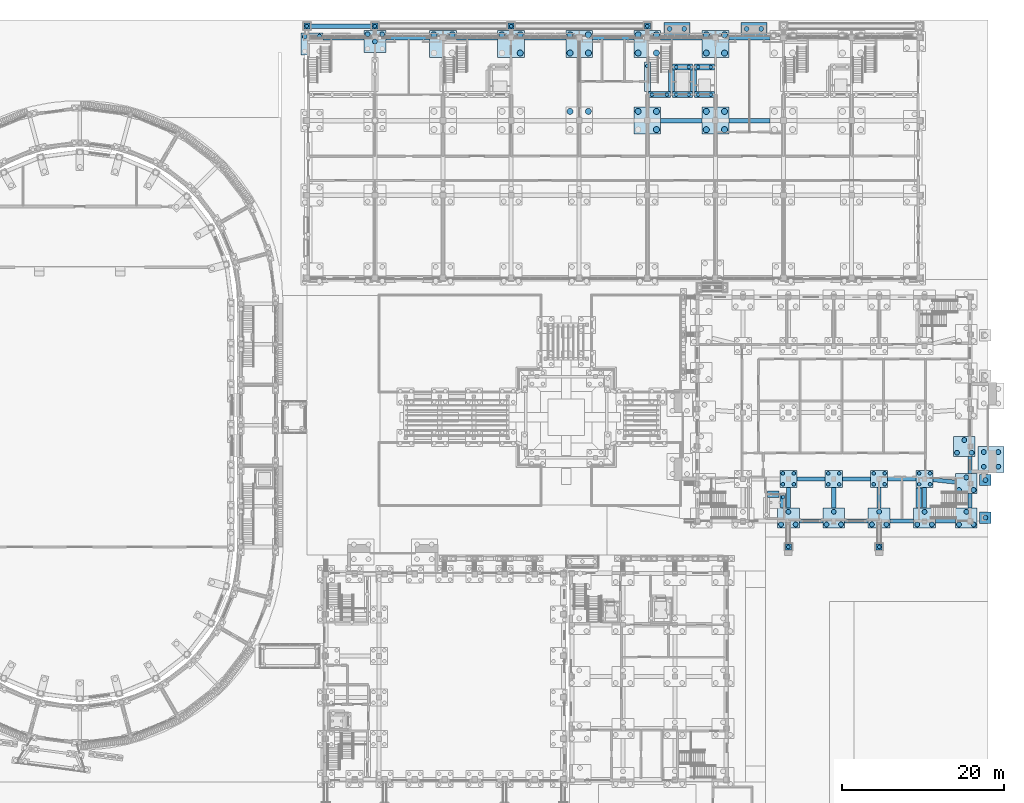
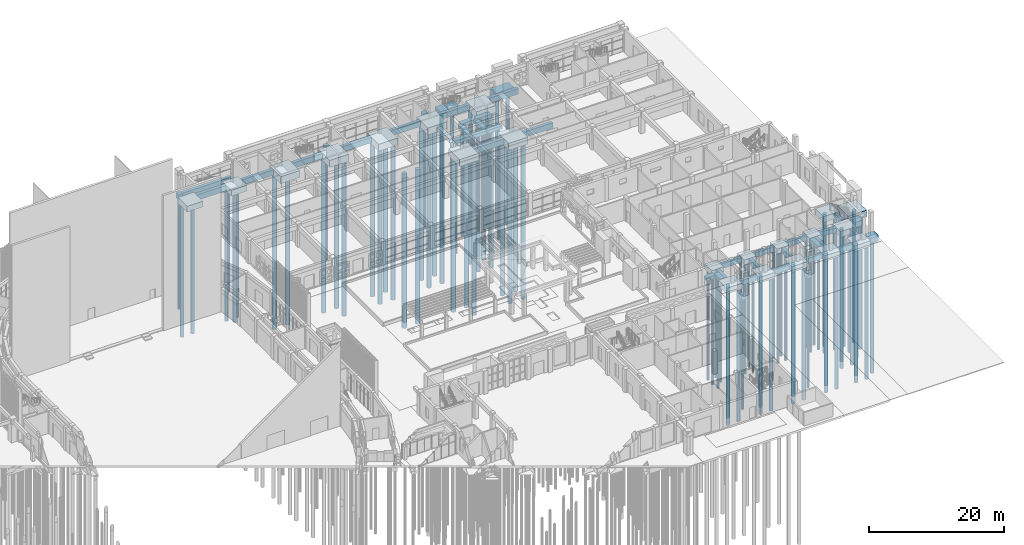
# One storey, part 9 of 112: 96 piles, 66 footings.
"""IFC4 building model written with IfcOpenShell, lengths in metres."""

import ifcopenshell
import ifcopenshell.guid

model = None  # the IFC model being written
_history = None  # IfcOwnerHistory: only IFC2X3 demands one
_inside = {}  # id of a spatial element -> (the spatial element, [elements in it])
_under = {}  # id of a project, library or spatial element -> (it, [spatial elements below it])
_declared = {}  # id of a project -> (the project, [libraries it declares])
_typed = {}  # id of a type object -> (the type object, [elements of that type])
_made_of = {}  # id of a material, layer set ... -> (it, [elements and type objects made of it])


def new_model(schema):
    """Start an empty IFC model of exactly this schema.

    Asked for "IFC4X3", IfcOpenShell would pick the latest addendum, in which some entities
    have other attributes; the version numbers below select the first issue.
    IFC2X3 requires an IfcOwnerHistory on every rooted entity: one is made here for all.
    """
    global model, _history
    if schema == "IFC4X3":
        model = ifcopenshell.file(schema_version=(4, 3, 0, 0))
    else:
        model = ifcopenshell.file(schema=schema)
    _inside.clear()
    _under.clear()
    _declared.clear()
    _typed.clear()
    _made_of.clear()
    _history = None
    if model.schema == "IFC2X3":
        org = make("IfcOrganization", Name="unknown")
        user = make(
            "IfcPersonAndOrganization",
            ThePerson=make("IfcPerson", FamilyName="unknown"),
            TheOrganization=org,
        )
        app = make(
            "IfcApplication",
            ApplicationDeveloper=org,
            Version="unknown",
            ApplicationFullName="unknown",
            ApplicationIdentifier="unknown",
        )
        _history = make(
            "IfcOwnerHistory",
            OwningUser=user,
            OwningApplication=app,
            ChangeAction="ADDED",
            CreationDate=0,
        )
    return model


def make(cls, **values):
    """One entity of the class cls with the attributes given. An attribute that is None is left unset."""
    return model.create_entity(
        cls, **{name: value for name, value in values.items() if value is not None}
    )


def rooted(cls, **values):
    """An entity with a GlobalId (a new one), such as an element, a storey or a relation."""
    return make(cls, GlobalId=ifcopenshell.guid.new(), OwnerHistory=_history, **values)


def si_unit(unit_type, name, prefix=None):
    """IfcSIUnit, for example si_unit("LENGTHUNIT", "METRE", prefix="MILLI")."""
    return make("IfcSIUnit", UnitType=unit_type, Prefix=prefix, Name=name)


def assignment(units):
    """IfcUnitAssignment: the units of a project."""
    return None if units is None else make("IfcUnitAssignment", Units=units)


def point(xyz):
    """IfcCartesianPoint."""
    return None if xyz is None else make("IfcCartesianPoint", Coordinates=xyz)


def direction(xyz):
    """IfcDirection."""
    return None if xyz is None else make("IfcDirection", DirectionRatios=xyz)


def frame(location, z_axis=None, x_axis=None):
    """IfcAxis2Placement3D, a coordinate frame: its origin and axes. An axis left out is left unset."""
    return make(
        "IfcAxis2Placement3D",
        Location=point(location),
        Axis=direction(z_axis),
        RefDirection=direction(x_axis),
    )


def frame_2d(location, x_axis=None):
    """IfcAxis2Placement2D, a coordinate frame in the plane: its origin and x axis."""
    return make(
        "IfcAxis2Placement2D", Location=point(location), RefDirection=direction(x_axis)
    )


def origin():
    """The frame at (0, 0, 0) with its axes left unset."""
    return frame((0.0, 0.0, 0.0))


def origin_2d():
    """The frame at (0, 0) in the plane with its x axis left unset."""
    return frame_2d((0.0, 0.0))


def place(relative_to, where):
    """IfcLocalPlacement: puts the frame where relative to a parent placement (None: the world)."""
    return make(
        "IfcLocalPlacement", PlacementRelTo=relative_to, RelativePlacement=where
    )


def context(
    kind, dimensions, precision=None, world=None, true_north=None, identifier=None
):
    """IfcGeometricRepresentationContext, for example the 3D "Model" context."""
    return make(
        "IfcGeometricRepresentationContext",
        ContextIdentifier=identifier,
        ContextType=kind,
        CoordinateSpaceDimension=dimensions,
        Precision=precision,
        WorldCoordinateSystem=world,
        TrueNorth=true_north,
    )


def subcontext(parent, identifier, kind, view, scale=None):
    """IfcGeometricRepresentationSubContext, for example "Body" below "Model"."""
    return make(
        "IfcGeometricRepresentationSubContext",
        ContextIdentifier=identifier,
        ContextType=kind,
        ParentContext=parent,
        TargetScale=scale,
        TargetView=view,
    )


def project(units=None, contexts=None):
    """IfcProject with its units and contexts."""
    return rooted(
        "IfcProject",
        Name="project",
        RepresentationContexts=contexts,
        UnitsInContext=assignment(units),
    )


def spatial(cls, under=None, at=None, **own):
    """A site, building, storey or space (cls), placed at a placement, below another one or the project."""
    s = rooted(cls, ObjectPlacement=at, **own)
    if under is not None:
        _under.setdefault(under.id(), (under, []))[1].append(s)
    return s


def profile(cls, at=None, kind="AREA", **sizes):
    """A parametric profile (cls). Its sizes go by their IFC names, for example OverallWidth=200.0."""
    return make(cls, ProfileType=kind, Position=at, **sizes)


def rectangle(**sizes):
    """IfcRectangleProfileDef."""
    return profile("IfcRectangleProfileDef", **sizes)


def circle(**sizes):
    """IfcCircleProfileDef."""
    return profile("IfcCircleProfileDef", **sizes)


def extrude(swept, where, along, depth):
    """IfcExtrudedAreaSolid: the profile swept, set in the frame where, extruded along a direction by depth."""
    return make(
        "IfcExtrudedAreaSolid",
        SweptArea=swept,
        Position=where,
        ExtrudedDirection=direction(along),
        Depth=depth,
    )


def shape(context_of_items, identifier, shape_type, items):
    """IfcShapeRepresentation: the items that make up one representation, for example the "Body"."""
    return make(
        "IfcShapeRepresentation",
        ContextOfItems=context_of_items,
        RepresentationIdentifier=identifier,
        RepresentationType=shape_type,
        Items=items,
    )


def material(Name=None, Category=None):
    """IfcMaterial."""
    return make("IfcMaterial", Name=Name, Category=Category)


def material_profile(
    of_material, cross_section, Name=None, Category=None, Priority=None
):
    """IfcMaterialProfile: a cross section and its material."""
    return make(
        "IfcMaterialProfile",
        Name=Name,
        Material=of_material,
        Profile=cross_section,
        Priority=Priority,
        Category=Category,
    )


def profile_set(profiles, Name=None, composite=None):
    """IfcMaterialProfileSet."""
    return make(
        "IfcMaterialProfileSet",
        Name=Name,
        MaterialProfiles=profiles,
        CompositeProfile=composite,
    )


def made_of(thing, what):
    """Note that an element or type object is made of a material, layer set ...; save() writes the relation."""
    if what is not None:
        _made_of.setdefault(what.id(), (what, []))[1].append(thing)
    return thing


def type_object(cls, material=None, **own):
    """A type object (cls), such as IfcWallType, which elements share."""
    return made_of(rooted(cls, **own), material)


def element(
    cls,
    number,
    at=None,
    inside=None,
    cuts=None,
    type_object=None,
    material=None,
    context=None,
    identifier="Body",
    shape_type=None,
    held_by="IfcProductDefinitionShape",
    body=None,
    shapes=None,
    **own,
):
    """One element of the class cls, such as IfcWall. Its Tag is "e" and its number.

    at: its placement. inside: the storey or other place that contains it. cuts: it is an
    opening in that element (IfcRelVoidsElement). A single representation is given by context,
    identifier, shape_type and body (its items); several are given by shapes. held_by: the class
    of the entity that holds the representations. save() writes the other relations.
    """
    e = rooted(cls, Tag="e%d" % number, ObjectPlacement=at, **own)
    if body is not None:
        shapes = [shape(context, identifier, shape_type, body)]
    if shapes is not None:
        e.Representation = make(held_by, Representations=shapes)
    if inside is not None:
        _inside.setdefault(inside.id(), (inside, []))[1].append(e)
    if cuts is not None:
        rooted(
            "IfcRelVoidsElement", RelatingBuildingElement=cuts, RelatedOpeningElement=e
        )
    if type_object is not None:
        _typed.setdefault(type_object.id(), (type_object, []))[1].append(e)
    return made_of(e, material)


def aggregate(whole, parts):
    """IfcRelAggregates: a whole, such as a stair, and the parts it consists of."""
    return rooted("IfcRelAggregates", RelatingObject=whole, RelatedObjects=parts)


def save(model, path):
    """Write the relations noted so far, then the file.

    IfcRelAggregates (storeys below a building ...), IfcRelContainedInSpatialStructure (elements
    in a storey), IfcRelDefinesByType, IfcRelAssociatesMaterial and IfcRelDeclares: one each for
    every whole, place, type object, material and project.
    """
    for whole, parts in _under.values():
        aggregate(whole, parts)
    for where, things in _inside.values():
        rooted(
            "IfcRelContainedInSpatialStructure",
            RelatedElements=things,
            RelatingStructure=where,
        )
    for kind, things in _typed.values():
        rooted("IfcRelDefinesByType", RelatedObjects=things, RelatingType=kind)
    for what, things in _made_of.values():
        rooted("IfcRelAssociatesMaterial", RelatedObjects=things, RelatingMaterial=what)
    for by, libraries in _declared.values():
        rooted("IfcRelDeclares", RelatingContext=by, RelatedDefinitions=libraries)
    model.write(path)


model = new_model("IFC4")

# Units and contexts
model_context = context("Model", 3, precision=1e-05, world=origin(), true_north=direction((0.0, 1.0)))
body_context = subcontext(model_context, "Body", "Model", "MODEL_VIEW")
ifc_project = project(units=[si_unit("LENGTHUNIT", "METRE"), si_unit("AREAUNIT", "SQUARE_METRE"), si_unit("VOLUMEUNIT", "CUBIC_METRE"), si_unit("PLANEANGLEUNIT", "RADIAN"), si_unit("MASSUNIT", "GRAM", prefix="KILO")], contexts=[model_context])

# Site, building, storey
site_placement = place(None, origin())
site = spatial("IfcSite", under=ifc_project, at=site_placement, CompositionType="ELEMENT")
building_placement = place(site_placement, origin())
building = spatial("IfcBuilding", under=site, at=building_placement, Name="Wasatch Bagh Community Centre", CompositionType="ELEMENT")
storey_placement = place(building_placement, origin())
storey = spatial("IfcBuildingStorey", under=building, at=storey_placement, Name="L00", CompositionType="ELEMENT", Elevation=0.0)

# Footings
ifc_material_1 = material(Name="Concrete C35", Category="concrete")
footing_type_1 = type_object("IfcFootingType", Name="FD-GB-B", PredefinedType="FOOTING_BEAM", material=ifc_material_1)
footing_1_placement = place(storey_placement, frame((145.800048828125, 40.675048828125, -1.0), z_axis=(0.0, 0.0, 1.0), x_axis=(0.0, 1.0, 0.0)))
element("IfcFooting", 1, at=footing_1_placement, inside=storey, type_object=footing_type_1, Name="GB ground beam 299", PredefinedType="FOOTING_BEAM", context=body_context, shape_type="SweptSolid", body=[
    extrude(rectangle(XDim=1.791015625, YDim=0.449951171875, at=origin_2d()), origin(), (0.0, 0.0, 1.0), 0.800048828125),
])
footing_2_placement = place(storey_placement, frame((145.800048828125, 45.10009765625, -1.0), z_axis=(0.0, 0.0, 1.0), x_axis=(0.0, 1.0, 0.0)))
element("IfcFooting", 2, at=footing_2_placement, inside=storey, type_object=footing_type_1, Name="GB ground beam 312", PredefinedType="FOOTING_BEAM", context=body_context, shape_type="SweptSolid", body=[
    extrude(rectangle(XDim=2.14111328125, YDim=0.449951171875, at=origin_2d()), origin(), (0.0, 0.0, 1.0), 0.800048828125),
])
footing_type_2 = type_object("IfcFootingType", Name="FD-GB-C", PredefinedType="FOOTING_BEAM", material=ifc_material_1)
footing_3_placement = place(storey_placement, frame((126.199951171875, 43.39990234375, -1.099853515625), z_axis=(0.0, 0.0, 1.0), x_axis=(1.0, 0.0, 0.0)))
element("IfcFooting", 3, at=footing_3_placement, inside=storey, type_object=footing_type_2, Name="GB ground beam 267", PredefinedType="FOOTING_BEAM", context=body_context, shape_type="SweptSolid", body=[
    extrude(rectangle(XDim=3.5, YDim=0.5, at=origin_2d()), origin(), (0.0, 0.0, 1.0), 0.89990234375),
])
footing_4_placement = place(storey_placement, frame((123.39990234375, 41.064697265625, -1.099853515625), z_axis=(0.0, 0.0, 1.0), x_axis=(0.0, -1.0, 0.0)))
element("IfcFooting", 4, at=footing_4_placement, inside=storey, type_object=footing_type_2, Name="GB ground beam 268", PredefinedType="FOOTING_BEAM", context=body_context, shape_type="SweptSolid", body=[
    extrude(rectangle(XDim=2.570556640625, YDim=0.5, at=origin_2d()), origin(), (0.0, 0.0, 1.0), 0.89990234375),
])
footing_5_placement = place(storey_placement, frame((131.800048828125, 43.39990234375, -1.099853515625), z_axis=(0.0, 0.0, 1.0), x_axis=(1.0, 0.0, 0.0)))
element("IfcFooting", 5, at=footing_5_placement, inside=storey, type_object=footing_type_2, Name="GB ground beam 269", PredefinedType="FOOTING_BEAM", context=body_context, shape_type="SweptSolid", body=[
    extrude(rectangle(XDim=3.5, YDim=0.5, at=origin_2d()), origin(), (0.0, 0.0, 1.0), 0.89990234375),
])
footing_6_placement = place(storey_placement, frame((129.0, 41.064697265625, -1.099853515625), z_axis=(0.0, 0.0, 1.0), x_axis=(0.0, -1.0, 0.0)))
element("IfcFooting", 6, at=footing_6_placement, inside=storey, type_object=footing_type_2, Name="GB ground beam 270", PredefinedType="FOOTING_BEAM", context=body_context, shape_type="SweptSolid", body=[
    extrude(rectangle(XDim=2.570556640625, YDim=0.5, at=origin_2d()), origin(), (0.0, 0.0, 1.0), 0.89990234375),
])
footing_7_placement = place(storey_placement, frame((137.39990234375, 43.39990234375, -1.099853515625), z_axis=(0.0, 0.0, 1.0), x_axis=(1.0, 0.0, 0.0)))
element("IfcFooting", 7, at=footing_7_placement, inside=storey, type_object=footing_type_2, Name="GB ground beam 271", PredefinedType="FOOTING_BEAM", context=body_context, shape_type="SweptSolid", body=[
    extrude(rectangle(XDim=3.5, YDim=0.5, at=origin_2d()), origin(), (0.0, 0.0, 1.0), 0.89990234375),
])
for number, where, z_axis, x_axis, name in (
    (8, (134.60009765625, 41.064697265625, -1.099853515625), (0.0, 0.0, 1.0), (0.0, -1.0, 0.0), "GB ground beam 272"),
    (9, (140.199951171875, 41.064697265625, -1.099853515625), (0.0, 0.0, 1.0), (0.0, -1.0, 0.0), "GB ground beam 273"),
):
    element("IfcFooting", number, at=place(storey_placement, frame(where, z_axis=z_axis, x_axis=x_axis)), inside=storey, type_object=footing_type_2, Name=name, PredefinedType="FOOTING_BEAM", context=body_context, shape_type="SweptSolid", body=[
        extrude(rectangle(XDim=2.570556640625, YDim=0.5, at=origin_2d()), origin(), (0.0, 0.0, 1.0), 0.89990234375),
    ])
footing_8_placement = place(storey_placement, frame((142.625, 43.14013671875, -1.099853515625), z_axis=(0.0, 0.0, 1.0), x_axis=(0.99430915392, -0.106533123629, 0.0)))
element("IfcFooting", 10, at=footing_8_placement, inside=storey, type_object=footing_type_2, Name="GB ground beam 274", PredefinedType="FOOTING_BEAM", context=body_context, shape_type="SweptSolid", body=[
    extrude(rectangle(XDim=2.765625, YDim=0.5, at=origin_2d()), origin(), (0.0, 0.0, 1.0), 0.89990234375),
])
for number, where, z_axis, x_axis, name in (
    (11, (126.199951171875, 38.199951171875, -1.099853515625), (0.0, 0.0, 1.0), (1.0, 0.0, 0.0), "GB ground beam 295"),
    (12, (131.800048828125, 38.199951171875, -1.099853515625), (0.0, 0.0, 1.0), (1.0, 0.0, 0.0), "GB ground beam 296"),
    (13, (137.39990234375, 38.199951171875, -1.099853515625), (0.0, 0.0, 1.0), (1.0, 0.0, 0.0), "GB ground beam 297"),
):
    element("IfcFooting", number, at=place(storey_placement, frame(where, z_axis=z_axis, x_axis=x_axis)), inside=storey, type_object=footing_type_2, Name=name, PredefinedType="FOOTING_BEAM", context=body_context, shape_type="SweptSolid", body=[
        extrude(rectangle(XDim=2.89990234375, YDim=0.5, at=origin_2d()), origin(), (0.0, 0.0, 1.0), 0.89990234375),
    ])
footing_9_placement = place(storey_placement, frame((142.77490234375, 38.199951171875, -1.099853515625), z_axis=(0.0, 0.0, 1.0), x_axis=(1.0, 0.0, 0.0)))
element("IfcFooting", 14, at=footing_9_placement, inside=storey, type_object=footing_type_2, Name="GB ground beam 298", PredefinedType="FOOTING_BEAM", context=body_context, shape_type="SweptSolid", body=[
    extrude(rectangle(XDim=2.449951171875, YDim=0.5, at=origin_2d()), origin(), (0.0, 0.0, 1.0), 0.89990234375),
])
footing_type_3 = type_object("IfcFootingType", Name="FD-GB-D", PredefinedType="FOOTING_BEAM", material=ifc_material_1)
footing_10_placement = place(storey_placement, frame((68.199951171875, 99.25, -1.199951171875), z_axis=(0.0, 0.0, 1.0), x_axis=(1.0, 0.0, 0.0)))
element("IfcFooting", 15, at=footing_10_placement, inside=storey, type_object=footing_type_3, Name="GB ground beam 12", PredefinedType="FOOTING_BEAM", context=body_context, shape_type="SweptSolid", body=[
    extrude(rectangle(XDim=7.64990234375, YDim=0.550048828125, at=origin_2d()), origin(), (0.0, 0.0, 1.0), 1.0),
])
for number, where, z_axis, x_axis, name in (
    (16, (110.199951171875, 87.60009765625, -1.199951171875), (0.0, 0.0, 1.0), (1.0, 0.0, 0.0), "GB ground beam 193"),
    (17, (118.60009765625, 87.60009765625, -1.199951171875), (0.0, 0.0, 1.0), (1.0, 0.0, 0.0), "GB ground beam 194"),
):
    element("IfcFooting", number, at=place(storey_placement, frame(where, z_axis=z_axis, x_axis=x_axis)), inside=storey, type_object=footing_type_3, Name=name, PredefinedType="FOOTING_BEAM", context=body_context, shape_type="SweptSolid", body=[
        extrude(rectangle(XDim=5.10009765625, YDim=0.550048828125, at=origin_2d()), origin(), (0.0, 0.0, 1.0), 1.0),
    ])
footing_11_placement = place(storey_placement, frame((68.52490234375, 97.800048828125, -1.199951171875), z_axis=(0.0, 0.0, 1.0), x_axis=(1.0, 0.0, 0.0)))
element("IfcFooting", 18, at=footing_11_placement, inside=storey, type_object=footing_type_3, Name="GB ground beam 206", PredefinedType="FOOTING_BEAM", context=body_context, shape_type="SweptSolid", body=[
    extrude(rectangle(XDim=5.050048828125, YDim=0.550048828125, at=origin_2d()), origin(), (0.0, 0.0, 1.0), 1.0),
])
footing_12_placement = place(storey_placement, frame((76.449951171875, 97.800048828125, -1.199951171875), z_axis=(0.0, 0.0, 1.0), x_axis=(1.0, 0.0, 0.0)))
element("IfcFooting", 19, at=footing_12_placement, inside=storey, type_object=footing_type_3, Name="GB ground beam 207", PredefinedType="FOOTING_BEAM", context=body_context, shape_type="SweptSolid", body=[
    extrude(rectangle(XDim=5.39990234375, YDim=0.550048828125, at=origin_2d()), origin(), (0.0, 0.0, 1.0), 1.0),
])
for number, where, z_axis, x_axis, name in (
    (20, (85.0, 97.800048828125, -1.199951171875), (0.0, 0.0, 1.0), (1.0, 0.0, 0.0), "GB ground beam 208"),
    (21, (93.39990234375, 97.800048828125, -1.199951171875), (0.0, 0.0, 1.0), (1.0, 0.0, 0.0), "GB ground beam 209"),
    (22, (101.800048828125, 97.800048828125, -1.199951171875), (0.0, 0.0, 1.0), (1.0, 0.0, 0.0), "GB ground beam 210"),
    (23, (110.199951171875, 97.800048828125, -1.199951171875), (0.0, 0.0, 1.0), (1.0, 0.0, 0.0), "GB ground beam 211"),
    (24, (118.60009765625, 97.800048828125, -1.199951171875), (0.0, 0.0, 1.0), (1.0, 0.0, 0.0), "GB ground beam 212"),
):
    element("IfcFooting", number, at=place(storey_placement, frame(where, z_axis=z_axis, x_axis=x_axis)), inside=storey, type_object=footing_type_3, Name=name, PredefinedType="FOOTING_BEAM", context=body_context, shape_type="SweptSolid", body=[
        extrude(rectangle(XDim=5.10009765625, YDim=0.550048828125, at=origin_2d()), origin(), (0.0, 0.0, 1.0), 1.0),
    ])

# Piles
ifc_material_2 = material(Name="Concrete C30", Category="concrete")
ifc_material_profile_1 = material_profile(ifc_material_2, circle(Radius=0.22509765625, at=origin_2d()), Name="RC D450")
ifc_profile_set_1 = profile_set([ifc_material_profile_1], Name="Concrete C30")
pile_type_1 = type_object("IfcPileType", Name="FD-P450", PredefinedType="BORED", material=ifc_profile_set_1)
for number, where, z_axis, x_axis, name in (
    (25, (123.39990234375, 35.0, -1.10009765625), (0.0, 0.0, -1.0), (1.0, 0.0, 0.0), "P pile 14.1"),
    (26, (134.60009765625, 35.0, -1.10009765625), (0.0, 0.0, -1.0), (1.0, 0.0, 0.0), "P pile 15.1"),
    (27, (64.0, 99.25, -1.10009765625), (0.0, 0.0, -1.0), (1.0, 0.0, 0.0), "P pile 19.1"),
    (28, (72.39990234375, 99.25, -1.10009765625), (0.0, 0.0, -1.0), (1.0, 0.0, 0.0), "P pile 20.1"),
    (29, (89.199951171875, 99.25, -1.10009765625), (0.0, 0.0, -1.0), (1.0, 0.0, 0.0), "P pile 21.1"),
    (30, (106.0, 99.25, -1.10009765625), (0.0, 0.0, -1.0), (1.0, 0.0, 0.0), "P pile 22.1"),
    (31, (122.72509765625, 42.72509765625, -1.10009765625), (0.0, 0.0, -1.0), (1.0, 0.0, 0.0), "P pile 267.1"),
    (32, (124.074951171875, 42.72509765625, -1.10009765625), (0.0, 0.0, -1.0), (1.0, 0.0, 0.0), "P pile 267.2"),
    (33, (122.72509765625, 44.074951171875, -1.10009765625), (0.0, 0.0, -1.0), (1.0, 0.0, 0.0), "P pile 267.3"),
    (34, (124.074951171875, 44.074951171875, -1.10009765625), (0.0, 0.0, -1.0), (1.0, 0.0, 0.0), "P pile 267.4"),
    (35, (128.324951171875, 42.72509765625, -1.10009765625), (0.0, 0.0, -1.0), (1.0, 0.0, 0.0), "P pile 268.1"),
    (36, (129.675048828125, 42.72509765625, -1.10009765625), (0.0, 0.0, -1.0), (1.0, 0.0, 0.0), "P pile 268.2"),
    (37, (128.324951171875, 44.074951171875, -1.10009765625), (0.0, 0.0, -1.0), (1.0, 0.0, 0.0), "P pile 268.3"),
    (38, (129.675048828125, 44.074951171875, -1.10009765625), (0.0, 0.0, -1.0), (1.0, 0.0, 0.0), "P pile 268.4"),
    (39, (133.925048828125, 42.72509765625, -1.10009765625), (0.0, 0.0, -1.0), (1.0, 0.0, 0.0), "P pile 269.1"),
    (40, (135.27490234375, 42.72509765625, -1.10009765625), (0.0, 0.0, -1.0), (1.0, 0.0, 0.0), "P pile 269.2"),
    (41, (133.925048828125, 44.074951171875, -1.10009765625), (0.0, 0.0, -1.0), (1.0, 0.0, 0.0), "P pile 269.3"),
    (42, (135.27490234375, 44.074951171875, -1.10009765625), (0.0, 0.0, -1.0), (1.0, 0.0, 0.0), "P pile 269.4"),
    (43, (139.52490234375, 42.72509765625, -1.10009765625), (0.0, 0.0, -1.0), (1.0, 0.0, 0.0), "P pile 270.1"),
    (44, (140.875, 42.72509765625, -1.10009765625), (0.0, 0.0, -1.0), (1.0, 0.0, 0.0), "P pile 270.2"),
    (45, (139.52490234375, 44.074951171875, -1.10009765625), (0.0, 0.0, -1.0), (1.0, 0.0, 0.0), "P pile 270.3"),
    (46, (140.875, 44.074951171875, -1.10009765625), (0.0, 0.0, -1.0), (1.0, 0.0, 0.0), "P pile 270.4"),
    (47, (106.574951171875, 90.800048828125, -0.800048828125), (0.0, 0.0, -1.0), (1.0, 0.0, 0.0), "P pile SF24.1"),
    (48, (108.425048828125, 90.800048828125, -0.800048828125), (0.0, 0.0, -1.0), (1.0, 0.0, 0.0), "P pile SF24.2"),
    (49, (109.574951171875, 90.800048828125, -0.800048828125), (0.0, 0.0, -1.0), (1.0, 0.0, 0.0), "P pile SF25.1"),
    (50, (111.125, 90.800048828125, -0.800048828125), (0.0, 0.0, -1.0), (1.0, 0.0, 0.0), "P pile SF25.2"),
    (51, (112.27490234375, 90.800048828125, -0.800048828125), (0.0, 0.0, -1.0), (1.0, 0.0, 0.0), "P pile SF26.1"),
    (52, (113.824951171875, 90.800048828125, -0.800048828125), (0.0, 0.0, -1.0), (1.0, 0.0, 0.0), "P pile SF26.2"),
    (53, (109.574951171875, 94.199951171875, -0.800048828125), (0.0, 0.0, -1.0), (1.0, 0.0, 0.0), "P pile SF31.1"),
    (54, (111.125, 94.199951171875, -0.800048828125), (0.0, 0.0, -1.0), (1.0, 0.0, 0.0), "P pile SF31.2"),
    (55, (112.27490234375, 94.199951171875, -0.800048828125), (0.0, 0.0, -1.0), (1.0, 0.0, 0.0), "P pile SF32.1"),
    (56, (113.824951171875, 94.199951171875, -0.800048828125), (0.0, 0.0, -1.0), (1.0, 0.0, 0.0), "P pile SF32.2"),
    (57, (106.0, 94.35009765625, -0.800048828125), (0.0, 0.0, -1.0), (1.0, 0.0, 0.0), "P pile SF39.1"),
    (58, (122.75, 41.14990234375, -0.800048828125), (0.0, 0.0, -1.0), (1.0, 0.0, 0.0), "P pile SF46.1"),
):
    element("IfcPile", number, at=place(storey_placement, frame(where, z_axis=z_axis, x_axis=x_axis)), inside=storey, type_object=pile_type_1, Name=name, PredefinedType="BORED", context=body_context, shape_type="SweptSolid", body=[
        extrude(circle(Radius=0.22509765625, at=origin_2d()), origin(), (0.0, 0.0, 1.0), 20.0),
    ])
ifc_material_profile_2 = material_profile(ifc_material_2, circle(Radius=0.300048828125, at=origin_2d()), Name="RC D600")
ifc_profile_set_2 = profile_set([ifc_material_profile_2], Name="Concrete C30")
pile_type_2 = type_object("IfcPileType", Name="FD-P600", PredefinedType="BORED", material=ifc_profile_set_2)
for number, where, z_axis, x_axis, name in (
    (59, (147.5, 46.699951171875, -1.199951171875), (0.0, 0.0, -1.0), (1.0, 0.0, 0.0), "SHEQ.pile.L00.PIER2.1"),
    (60, (147.5, 44.89990234375, -1.199951171875), (0.0, 0.0, -1.0), (1.0, 0.0, 0.0), "SHEQ.pile.L00.PIER2.2"),
    (61, (149.300048828125, 46.699951171875, -1.199951171875), (0.0, 0.0, -1.0), (1.0, 0.0, 0.0), "SHEQ.pile.L00.PIER2.3"),
    (62, (149.300048828125, 44.89990234375, -1.199951171875), (0.0, 0.0, -1.0), (1.0, 0.0, 0.0), "SHEQ.pile.L00.PIER2.4"),
    (63, (147.699951171875, 38.60009765625, -1.199951171875), (0.0, 0.0, -1.0), (1.0, 0.0, 0.0), "SHB.pile.L00.B11"),
    (64, (147.699951171875, 43.25, -1.199951171875), (0.0, 0.0, -1.0), (1.0, 0.0, 0.0), "SHB.pile.L00.B12"),
    (65, (63.75, 97.949951171875, -1.25), (0.0, 0.0, -1.0), (1.0, 0.0, 0.0), "P pile 201.3"),
    (66, (65.550048828125, 97.949951171875, -1.25), (0.0, 0.0, -1.0), (1.0, 0.0, 0.0), "P pile 201.4"),
    (67, (71.5, 98.25, -1.25), (0.0, 0.0, -1.0), (1.0, 0.0, 0.0), "P pile 210.3"),
    (68, (73.300048828125, 98.25, -1.25), (0.0, 0.0, -1.0), (1.0, 0.0, 0.0), "P pile 210.4"),
    (69, (72.39990234375, 97.35009765625, -1.25), (0.0, 0.0, -1.0), (1.0, 0.0, 0.0), "P pile 210.5"),
    (70, (122.5, 37.7705078125, -1.25), (0.0, 0.0, -1.0), (1.0, 0.0, 0.0), "P pile 259.1"),
    (71, (124.300048828125, 37.7705078125, -1.25), (0.0, 0.0, -1.0), (1.0, 0.0, 0.0), "P pile 259.2"),
    (72, (123.39990234375, 39.32958984375, -1.25), (0.0, 0.0, -1.0), (1.0, 0.0, 0.0), "P pile 259.3"),
    (73, (128.10009765625, 37.7705078125, -1.25), (0.0, 0.0, -1.0), (1.0, 0.0, 0.0), "P pile 260.1"),
    (74, (129.89990234375, 37.7705078125, -1.25), (0.0, 0.0, -1.0), (1.0, 0.0, 0.0), "P pile 260.2"),
    (75, (129.0, 39.32958984375, -1.25), (0.0, 0.0, -1.0), (1.0, 0.0, 0.0), "P pile 260.3"),
    (76, (133.699951171875, 37.7705078125, -1.25), (0.0, 0.0, -1.0), (1.0, 0.0, 0.0), "P pile 261.1"),
    (77, (135.5, 37.7705078125, -1.25), (0.0, 0.0, -1.0), (1.0, 0.0, 0.0), "P pile 261.2"),
    (78, (134.60009765625, 39.32958984375, -1.25), (0.0, 0.0, -1.0), (1.0, 0.0, 0.0), "P pile 261.3"),
    (79, (139.300048828125, 37.7705078125, -1.25), (0.0, 0.0, -1.0), (1.0, 0.0, 0.0), "P pile 262.1"),
    (80, (141.10009765625, 37.7705078125, -1.25), (0.0, 0.0, -1.0), (1.0, 0.0, 0.0), "P pile 262.2"),
    (81, (140.199951171875, 39.32958984375, -1.25), (0.0, 0.0, -1.0), (1.0, 0.0, 0.0), "P pile 262.3"),
    (82, (144.449951171875, 37.7705078125, -1.25), (0.0, 0.0, -1.0), (1.0, 0.0, 0.0), "P pile 263.1"),
    (83, (146.25, 37.7705078125, -1.25), (0.0, 0.0, -1.0), (1.0, 0.0, 0.0), "P pile 263.2"),
    (84, (145.35009765625, 39.32958984375, -1.25), (0.0, 0.0, -1.0), (1.0, 0.0, 0.0), "P pile 263.3"),
    (85, (144.449951171875, 42.0205078125, -1.25), (0.0, 0.0, -1.0), (1.0, 0.0, 0.0), "P pile 265.1"),
    (86, (146.25, 42.0205078125, -1.25), (0.0, 0.0, -1.0), (1.0, 0.0, 0.0), "P pile 265.2"),
    (87, (145.35009765625, 43.57958984375, -1.25), (0.0, 0.0, -1.0), (1.0, 0.0, 0.0), "P pile 265.3"),
    (88, (144.199951171875, 46.62060546875, -1.25), (0.0, 0.0, -1.0), (1.0, 0.0, 0.0), "P pile 271.1"),
    (89, (146.0, 46.62060546875, -1.25), (0.0, 0.0, -1.0), (1.0, 0.0, 0.0), "P pile 271.2"),
    (90, (145.10009765625, 48.179443359375, -1.25), (0.0, 0.0, -1.0), (1.0, 0.0, 0.0), "P pile 271.3"),
    (91, (108.75, 98.89990234375, -1.39990234375), (0.0, 0.0, -1.0), (1.0, 0.0, 0.0), "LWPQ.pile.L00.CHEEK1.1"),
    (92, (110.550048828125, 98.89990234375, -1.39990234375), (0.0, 0.0, -1.0), (1.0, 0.0, 0.0), "LWPQ.pile.L00.CHEEK1.2"),
    (93, (118.25, 98.89990234375, -1.39990234375), (0.0, 0.0, -1.0), (1.0, 0.0, 0.0), "LWPQ.pile.L00.CHEEK2.1"),
    (94, (120.050048828125, 98.89990234375, -1.39990234375), (0.0, 0.0, -1.0), (1.0, 0.0, 0.0), "LWPQ.pile.L00.CHEEK2.2"),
):
    element("IfcPile", number, at=place(storey_placement, frame(where, z_axis=z_axis, x_axis=x_axis)), inside=storey, type_object=pile_type_2, Name=name, PredefinedType="BORED", context=body_context, shape_type="SweptSolid", body=[
        extrude(circle(Radius=0.300048828125, at=origin_2d()), origin(), (0.0, 0.0, 1.0), 24.0),
    ])
ifc_material_profile_3 = material_profile(ifc_material_2, circle(Radius=0.375, at=origin_2d()), Name="RC D750")
ifc_profile_set_3 = profile_set([ifc_material_profile_3], Name="Concrete C30")
pile_type_3 = type_object("IfcPileType", Name="FD-P750", PredefinedType="BORED", material=ifc_profile_set_3)
for number, where, z_axis, x_axis, name in (
    (95, (96.47509765625, 88.72509765625, -1.469970703125), (0.0, 0.0, -1.0), (1.0, 0.0, 0.0), "P pile 195.3"),
    (96, (98.72509765625, 88.72509765625, -1.469970703125), (0.0, 0.0, -1.0), (1.0, 0.0, 0.0), "P pile 195.4"),
    (97, (107.125, 86.47509765625, -1.469970703125), (0.0, 0.0, -1.0), (1.0, 0.0, 0.0), "P pile 196.2"),
    (98, (104.875, 88.72509765625, -1.469970703125), (0.0, 0.0, -1.0), (1.0, 0.0, 0.0), "P pile 196.3"),
    (99, (107.125, 88.72509765625, -1.469970703125), (0.0, 0.0, -1.0), (1.0, 0.0, 0.0), "P pile 196.4"),
    (100, (113.27490234375, 86.47509765625, -1.469970703125), (0.0, 0.0, -1.0), (1.0, 0.0, 0.0), "P pile 197.1"),
    (101, (115.52490234375, 86.47509765625, -1.469970703125), (0.0, 0.0, -1.0), (1.0, 0.0, 0.0), "P pile 197.2"),
    (102, (113.27490234375, 88.72509765625, -1.469970703125), (0.0, 0.0, -1.0), (1.0, 0.0, 0.0), "P pile 197.3"),
    (103, (115.52490234375, 88.72509765625, -1.469970703125), (0.0, 0.0, -1.0), (1.0, 0.0, 0.0), "P pile 197.4"),
    (104, (79.675048828125, 98.175048828125, -1.469970703125), (0.0, 0.0, -1.0), (1.0, 0.0, 0.0), "P pile 202.3"),
    (105, (81.925048828125, 98.175048828125, -1.469970703125), (0.0, 0.0, -1.0), (1.0, 0.0, 0.0), "P pile 202.4"),
    (106, (90.324951171875, 95.925048828125, -1.469970703125), (0.0, 0.0, -1.0), (1.0, 0.0, 0.0), "P pile 203.2"),
    (107, (88.074951171875, 98.175048828125, -1.469970703125), (0.0, 0.0, -1.0), (1.0, 0.0, 0.0), "P pile 203.3"),
    (108, (90.324951171875, 98.175048828125, -1.469970703125), (0.0, 0.0, -1.0), (1.0, 0.0, 0.0), "P pile 203.4"),
    (109, (96.47509765625, 95.925048828125, -1.469970703125), (0.0, 0.0, -1.0), (1.0, 0.0, 0.0), "P pile 204.1"),
    (110, (98.72509765625, 95.925048828125, -1.469970703125), (0.0, 0.0, -1.0), (1.0, 0.0, 0.0), "P pile 204.2"),
    (111, (96.47509765625, 98.175048828125, -1.469970703125), (0.0, 0.0, -1.0), (1.0, 0.0, 0.0), "P pile 204.3"),
    (112, (98.72509765625, 98.175048828125, -1.469970703125), (0.0, 0.0, -1.0), (1.0, 0.0, 0.0), "P pile 204.4"),
    (113, (104.875, 95.925048828125, -1.469970703125), (0.0, 0.0, -1.0), (1.0, 0.0, 0.0), "P pile 205.1"),
    (114, (107.125, 95.925048828125, -1.469970703125), (0.0, 0.0, -1.0), (1.0, 0.0, 0.0), "P pile 205.2"),
    (115, (104.875, 98.175048828125, -1.469970703125), (0.0, 0.0, -1.0), (1.0, 0.0, 0.0), "P pile 205.3"),
    (116, (107.125, 98.175048828125, -1.469970703125), (0.0, 0.0, -1.0), (1.0, 0.0, 0.0), "P pile 205.4"),
    (117, (113.27490234375, 95.925048828125, -1.469970703125), (0.0, 0.0, -1.0), (1.0, 0.0, 0.0), "P pile 206.1"),
    (118, (115.52490234375, 95.925048828125, -1.469970703125), (0.0, 0.0, -1.0), (1.0, 0.0, 0.0), "P pile 206.2"),
    (119, (113.27490234375, 98.175048828125, -1.469970703125), (0.0, 0.0, -1.0), (1.0, 0.0, 0.0), "P pile 206.3"),
    (120, (115.52490234375, 98.175048828125, -1.469970703125), (0.0, 0.0, -1.0), (1.0, 0.0, 0.0), "P pile 206.4"),
):
    element("IfcPile", number, at=place(storey_placement, frame(where, z_axis=z_axis, x_axis=x_axis)), inside=storey, type_object=pile_type_3, Name=name, PredefinedType="BORED", context=body_context, shape_type="SweptSolid", body=[
        extrude(circle(Radius=0.375, at=origin_2d()), origin(), (0.0, 0.0, 1.0), 28.0),
    ])

# Footings
footing_type_4 = type_object("IfcFootingType", Name="FD-PC1", PredefinedType="PILE_CAP", material=ifc_material_2)
for number, where, z_axis, x_axis, name in (
    (121, (123.39990234375, 35.0, -1.099853515625), (0.0, 0.0, 1.0), (1.0, 0.0, 0.0), "PC cap 14"),
    (122, (134.60009765625, 35.0, -1.099853515625), (0.0, 0.0, 1.0), (1.0, 0.0, 0.0), "PC cap 15"),
    (123, (64.0, 99.25, -1.099853515625), (0.0, 0.0, 1.0), (1.0, 0.0, 0.0), "PC cap 19"),
    (124, (72.39990234375, 99.25, -1.099853515625), (0.0, 0.0, 1.0), (1.0, 0.0, 0.0), "PC cap 20"),
    (125, (89.199951171875, 99.25, -1.099853515625), (0.0, 0.0, 1.0), (1.0, 0.0, 0.0), "PC cap 21"),
    (126, (106.0, 99.25, -1.099853515625), (0.0, 0.0, 1.0), (1.0, 0.0, 0.0), "PC cap 22"),
):
    element("IfcFooting", number, at=place(storey_placement, frame(where, z_axis=z_axis, x_axis=x_axis)), inside=storey, type_object=footing_type_4, Name=name, PredefinedType="PILE_CAP", context=body_context, shape_type="SweptSolid", body=[
        extrude(rectangle(XDim=0.75, YDim=0.75, at=origin_2d()), origin(), (0.0, 0.0, 1.0), 0.89990234375),
    ])
footing_type_5 = type_object("IfcFootingType", Name="FD-PC4", PredefinedType="PILE_CAP", material=ifc_material_2)
for number, where, z_axis, x_axis, name in (
    (127, (123.39990234375, 43.39990234375, -1.099853515625), (0.0, 0.0, 1.0), (1.0, 0.0, 0.0), "PC cap 267"),
    (128, (129.0, 43.39990234375, -1.099853515625), (0.0, 0.0, 1.0), (1.0, 0.0, 0.0), "PC cap 268"),
    (129, (134.60009765625, 43.39990234375, -1.099853515625), (0.0, 0.0, 1.0), (1.0, 0.0, 0.0), "PC cap 269"),
    (130, (140.199951171875, 43.39990234375, -1.099853515625), (0.0, 0.0, 1.0), (1.0, 0.0, 0.0), "PC cap 270"),
):
    element("IfcFooting", number, at=place(storey_placement, frame(where, z_axis=z_axis, x_axis=x_axis)), inside=storey, type_object=footing_type_5, Name=name, PredefinedType="PILE_CAP", context=body_context, shape_type="SweptSolid", body=[
        extrude(rectangle(XDim=2.10009765625, YDim=2.10009765625, at=origin_2d()), origin(), (0.0, 0.0, 1.0), 0.89990234375),
    ])
footing_type_6 = type_object("IfcFootingType", Name="FD-PC5", PredefinedType="PILE_CAP", material=ifc_material_2)
for number, where, z_axis, x_axis, name in (
    (131, (123.39990234375, 38.550048828125, -1.25), (0.0, 0.0, 1.0), (1.0, 0.0, 0.0), "PC cap 259"),
    (132, (129.0, 38.550048828125, -1.25), (0.0, 0.0, 1.0), (1.0, 0.0, 0.0), "PC cap 260"),
    (133, (134.60009765625, 38.550048828125, -1.25), (0.0, 0.0, 1.0), (1.0, 0.0, 0.0), "PC cap 261"),
    (134, (140.199951171875, 38.550048828125, -1.25), (0.0, 0.0, 1.0), (1.0, 0.0, 0.0), "PC cap 262"),
    (135, (145.35009765625, 38.550048828125, -1.25), (0.0, 0.0, 1.0), (1.0, 0.0, 0.0), "PC cap 263"),
    (136, (145.35009765625, 42.800048828125, -1.25), (0.0, 0.0, 1.0), (1.0, 0.0, 0.0), "PC cap 265"),
    (137, (145.10009765625, 47.39990234375, -1.25), (0.0, 0.0, 1.0), (1.0, 0.0, 0.0), "PC cap 271"),
):
    element("IfcFooting", number, at=place(storey_placement, frame(where, z_axis=z_axis, x_axis=x_axis)), inside=storey, type_object=footing_type_6, Name=name, PredefinedType="PILE_CAP", context=body_context, shape_type="SweptSolid", body=[
        extrude(rectangle(XDim=2.699951171875, YDim=2.458984375, at=origin_2d()), origin(), (0.0, 0.0, 1.0), 1.050048828125),
    ])
footing_type_7 = type_object("IfcFootingType", Name="FD-PC6", PredefinedType="PILE_CAP", material=ifc_material_2)
footing_13_placement = place(storey_placement, frame((64.64990234375, 97.050048828125, -1.25), z_axis=(0.0, 0.0, 1.0), x_axis=(1.0, 0.0, 0.0)))
element("IfcFooting", 138, at=footing_13_placement, inside=storey, type_object=footing_type_7, Name="PC cap 201", PredefinedType="PILE_CAP", context=body_context, shape_type="SweptSolid", body=[
    extrude(rectangle(XDim=2.699951171875, YDim=2.699951171875, at=origin_2d()), origin(), (0.0, 0.0, 1.0), 1.050048828125),
])
footing_type_8 = type_object("IfcFootingType", Name="FD-PC7", PredefinedType="PILE_CAP", material=ifc_material_2)
footing_14_placement = place(storey_placement, frame((72.39990234375, 97.35009765625, -1.25), z_axis=(0.0, 0.0, 1.0), x_axis=(1.0, 0.0, 0.0)))
element("IfcFooting", 139, at=footing_14_placement, inside=storey, type_object=footing_type_8, Name="PC cap 210", PredefinedType="PILE_CAP", context=body_context, shape_type="SweptSolid", body=[
    extrude(rectangle(XDim=2.699951171875, YDim=2.699951171875, at=origin_2d()), origin(), (0.0, 0.0, 1.0), 1.050048828125),
])
footing_type_9 = type_object("IfcFootingType", Name="FD-PC8", PredefinedType="PILE_CAP", material=ifc_material_2)
for number, where, z_axis, x_axis, name in (
    (140, (106.0, 87.60009765625, -1.469970703125), (0.0, 0.0, 1.0), (1.0, 0.0, 0.0), "PC cap 196"),
    (141, (114.39990234375, 87.60009765625, -1.469970703125), (0.0, 0.0, 1.0), (1.0, 0.0, 0.0), "PC cap 197"),
    (142, (80.800048828125, 97.050048828125, -1.469970703125), (0.0, 0.0, 1.0), (1.0, 0.0, 0.0), "PC cap 202"),
    (143, (89.199951171875, 97.050048828125, -1.469970703125), (0.0, 0.0, 1.0), (1.0, 0.0, 0.0), "PC cap 203"),
    (144, (97.60009765625, 97.050048828125, -1.469970703125), (0.0, 0.0, 1.0), (1.0, 0.0, 0.0), "PC cap 204"),
    (145, (106.0, 97.050048828125, -1.469970703125), (0.0, 0.0, 1.0), (1.0, 0.0, 0.0), "PC cap 205"),
    (146, (114.39990234375, 97.050048828125, -1.469970703125), (0.0, 0.0, 1.0), (1.0, 0.0, 0.0), "PC cap 206"),
):
    element("IfcFooting", number, at=place(storey_placement, frame(where, z_axis=z_axis, x_axis=x_axis)), inside=storey, type_object=footing_type_9, Name=name, PredefinedType="PILE_CAP", context=body_context, shape_type="SweptSolid", body=[
        extrude(rectangle(XDim=3.300048828125, YDim=3.300048828125, at=origin_2d()), origin(), (0.0, 0.0, 1.0), 1.27001953125),
    ])
footing_type_10 = type_object("IfcFootingType", Name="FD-SF3", PredefinedType="STRIP_FOOTING", material=ifc_material_2)
footing_15_placement = place(storey_placement, frame((107.5, 90.800048828125, -0.800048828125), z_axis=(0.0, 0.0, 1.0), x_axis=(1.0, 0.0, 0.0)))
element("IfcFooting", 147, at=footing_15_placement, inside=storey, type_object=footing_type_10, Name="SF wall footing 24", PredefinedType="STRIP_FOOTING", context=body_context, shape_type="SweptSolid", body=[
    extrude(rectangle(XDim=2.75, YDim=0.75, at=origin_2d()), origin(), (0.0, 0.0, 1.0), 0.60009765625),
])
for number, where, z_axis, x_axis, name in (
    (148, (110.35009765625, 90.800048828125, -0.800048828125), (0.0, 0.0, 1.0), (1.0, 0.0, 0.0), "SF wall footing 25"),
    (149, (113.050048828125, 90.800048828125, -0.800048828125), (0.0, 0.0, 1.0), (1.0, 0.0, 0.0), "SF wall footing 26"),
    (150, (110.35009765625, 94.199951171875, -0.800048828125), (0.0, 0.0, 1.0), (1.0, 0.0, 0.0), "SF wall footing 31"),
    (151, (113.050048828125, 94.199951171875, -0.800048828125), (0.0, 0.0, 1.0), (1.0, 0.0, 0.0), "SF wall footing 32"),
):
    element("IfcFooting", number, at=place(storey_placement, frame(where, z_axis=z_axis, x_axis=x_axis)), inside=storey, type_object=footing_type_10, Name=name, PredefinedType="STRIP_FOOTING", context=body_context, shape_type="SweptSolid", body=[
        extrude(rectangle(XDim=2.449951171875, YDim=0.75, at=origin_2d()), origin(), (0.0, 0.0, 1.0), 0.60009765625),
    ])
footing_16_placement = place(storey_placement, frame((106.0, 92.987548828125, -0.800048828125), z_axis=(0.0, 0.0, 1.0), x_axis=(0.0, 1.0, 0.0)))
element("IfcFooting", 152, at=footing_16_placement, inside=storey, type_object=footing_type_10, Name="SF wall footing 39", PredefinedType="STRIP_FOOTING", context=body_context, shape_type="SweptSolid", body=[
    extrude(rectangle(XDim=3.625, YDim=0.75, at=origin_2d()), origin(), (0.0, 0.0, 1.0), 0.60009765625),
])
for number, where, z_axis, x_axis, name in (
    (153, (109.0, 92.5, -0.800048828125), (0.0, 0.0, 1.0), (0.0, 1.0, 0.0), "SF wall footing 40"),
    (154, (111.699951171875, 92.5, -0.800048828125), (0.0, 0.0, 1.0), (0.0, 1.0, 0.0), "SF wall footing 41"),
):
    element("IfcFooting", number, at=place(storey_placement, frame(where, z_axis=z_axis, x_axis=x_axis)), inside=storey, type_object=footing_type_10, Name=name, PredefinedType="STRIP_FOOTING", context=body_context, shape_type="SweptSolid", body=[
        extrude(rectangle(XDim=2.64990234375, YDim=0.75, at=origin_2d()), origin(), (0.0, 0.0, 1.0), 0.60009765625),
    ])
footing_17_placement = place(storey_placement, frame((122.75, 40.73974609375, -0.800048828125), z_axis=(0.0, 0.0, 1.0), x_axis=(0.0, 1.0, 0.0)))
element("IfcFooting", 155, at=footing_17_placement, inside=storey, type_object=footing_type_10, Name="SF wall footing 46", PredefinedType="STRIP_FOOTING", context=body_context, shape_type="SweptSolid", body=[
    extrude(rectangle(XDim=1.720458984375, YDim=0.75, at=origin_2d()), origin(), (0.0, 0.0, 1.0), 0.60009765625),
])
footing_18_placement = place(storey_placement, frame((121.53759765625, 41.5, -0.800048828125), z_axis=(0.0, 0.0, 1.0), x_axis=(1.0, 0.0, 0.0)))
element("IfcFooting", 156, at=footing_18_placement, inside=storey, type_object=footing_type_10, Name="SF wall footing 47", PredefinedType="STRIP_FOOTING", context=body_context, shape_type="SweptSolid", body=[
    extrude(rectangle(XDim=1.47509765625, YDim=0.75, at=origin_2d()), origin(), (0.0, 0.0, 1.0), 0.60009765625),
])
footing_19_placement = place(storey_placement, frame((139.52490234375, 41.064697265625, -0.800048828125), z_axis=(0.0, 0.0, 1.0), x_axis=(0.0, 1.0, 0.0)))
element("IfcFooting", 157, at=footing_19_placement, inside=storey, type_object=footing_type_10, Name="SF wall footing 50", PredefinedType="STRIP_FOOTING", context=body_context, shape_type="SweptSolid", body=[
    extrude(rectangle(XDim=2.37060546875, YDim=0.75, at=origin_2d()), origin(), (0.0, 0.0, 1.0), 0.60009765625),
])
footing_type_11 = type_object("IfcFootingType", Name="LWPQ-F2", PredefinedType="PILE_CAP", material=ifc_material_2)
for number, where, z_axis, x_axis, name in (
    (158, (109.64990234375, 98.89990234375, -1.39990234375), (0.0, 0.0, 1.0), (0.0, 1.0, 0.0), "Iwan cheek 1 cap"),
    (159, (119.14990234375, 98.89990234375, -1.39990234375), (0.0, 0.0, 1.0), (0.0, 1.0, 0.0), "Iwan cheek 2 cap"),
):
    element("IfcFooting", number, at=place(storey_placement, frame(where, z_axis=z_axis, x_axis=x_axis)), inside=storey, type_object=footing_type_11, Name=name, PredefinedType="PILE_CAP", context=body_context, shape_type="SweptSolid", body=[
        extrude(rectangle(XDim=1.60009765625, YDim=3.199951171875, at=origin_2d()), origin(), (0.0, 0.0, 1.0), 1.199951171875),
    ])
footing_type_12 = type_object("IfcFootingType", Name="SHB-F2", PredefinedType="PILE_CAP", material=ifc_material_2)
for number, where, z_axis, x_axis, name in (
    (160, (147.699951171875, 38.60009765625, -1.199951171875), (0.0, 0.0, 1.0), (1.0, 0.0, 0.0), "Gable arcade pier cap 1.1"),
    (161, (147.699951171875, 43.25, -1.199951171875), (0.0, 0.0, 1.0), (1.0, 0.0, 0.0), "Gable arcade pier cap 1.2"),
):
    element("IfcFooting", number, at=place(storey_placement, frame(where, z_axis=z_axis, x_axis=x_axis)), inside=storey, type_object=footing_type_12, Name=name, PredefinedType="PILE_CAP", context=body_context, shape_type="SweptSolid", body=[
        extrude(rectangle(XDim=1.39990234375, YDim=1.39990234375, at=origin_2d()), origin(), (0.0, 0.0, 1.0), 1.0),
    ])
footing_type_13 = type_object("IfcFootingType", Name="SHEQ-F2", PredefinedType="PILE_CAP", material=ifc_material_2)
footing_20_placement = place(storey_placement, frame((148.39990234375, 45.800048828125, -1.2001953125), z_axis=(0.0, 0.0, 1.0), x_axis=(1.0, 0.0, 0.0)))
element("IfcFooting", 162, at=footing_20_placement, inside=storey, type_object=footing_type_13, Name="Iwan flank 2 cap", PredefinedType="PILE_CAP", context=body_context, shape_type="SweptSolid", body=[
    extrude(rectangle(XDim=3.199951171875, YDim=3.199951171875, at=origin_2d()), origin(), (0.0, 0.0, 1.0), 1.199951171875),
])

save(model, "model.ifc")
